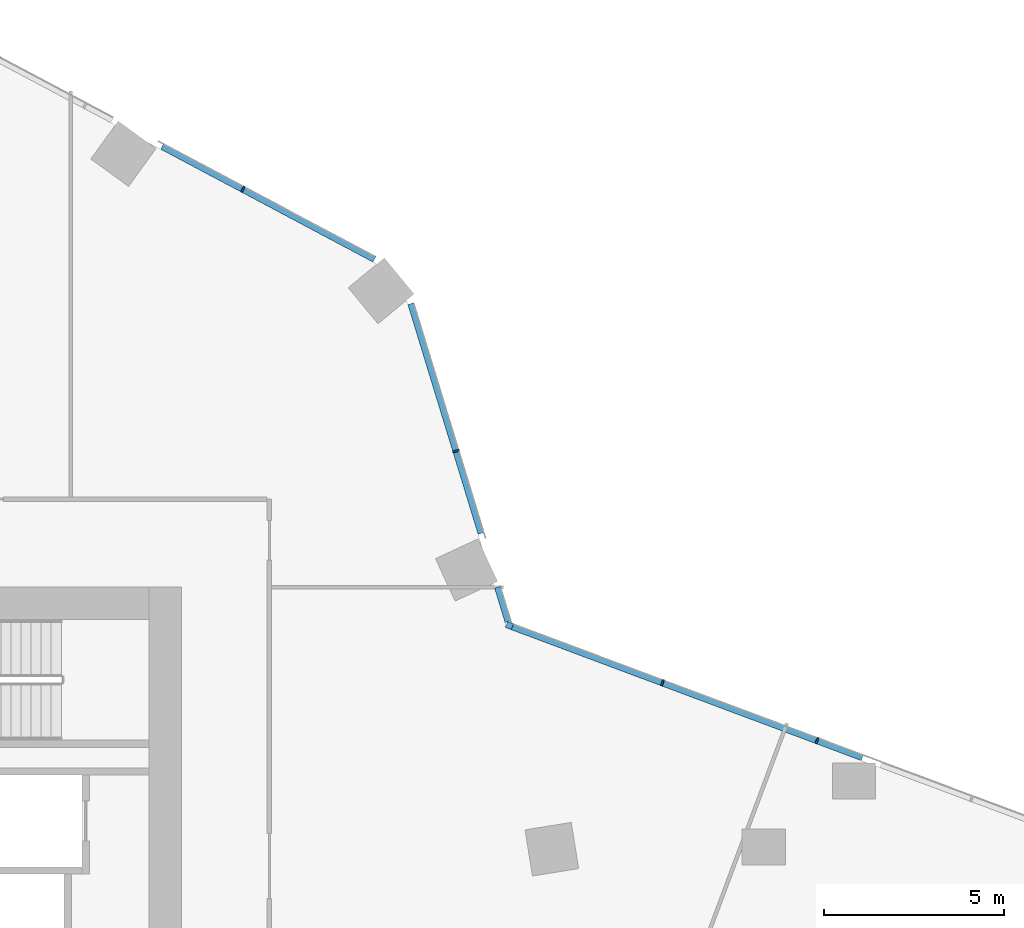
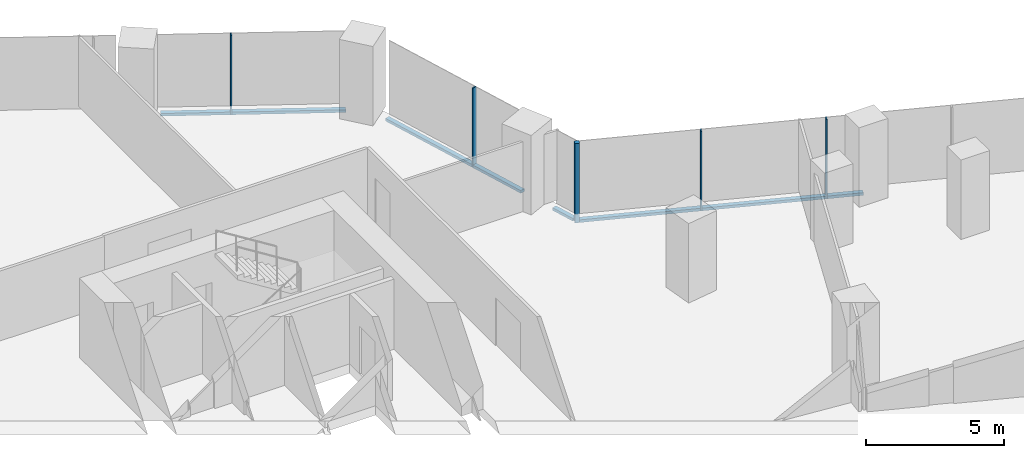
# One storey, part 13 of 31: 9 members, 3 elements without a shape of their own.
"""IFC4 building model written with IfcOpenShell, lengths in metres."""

from ifc_helpers import new_model, si_unit, direction, frame, origin, origin_2d, place, context, subcontext, project, spatial, rectangle, extrude, material, material_profile, profile_set, type_object, element, aggregate, save


model = new_model("IFC4")

# Units and contexts
model_context = context("Model", 3, precision=1e-05, world=origin(), true_north=direction((0.0, 1.0)))
body_context = subcontext(model_context, "Body", "Model", "MODEL_VIEW")
ifc_project = project(units=[si_unit("LENGTHUNIT", "METRE"), si_unit("AREAUNIT", "SQUARE_METRE"), si_unit("VOLUMEUNIT", "CUBIC_METRE"), si_unit("PLANEANGLEUNIT", "RADIAN"), si_unit("MASSUNIT", "GRAM", prefix="KILO")], contexts=[model_context])

# Site, building, storey
site_placement = place(None, origin())
site = spatial("IfcSite", under=ifc_project, at=site_placement, CompositionType="ELEMENT")
building_placement = place(site_placement, origin())
building = spatial("IfcBuilding", under=site, at=building_placement, Name="Orlundy Tower", CompositionType="ELEMENT")
storey_placement = place(building_placement, frame((0.0, 0.0, 87.699951171875)))
storey = spatial("IfcBuildingStorey", under=building, at=storey_placement, Name="L21", CompositionType="ELEMENT", Elevation=87.699951171875)

# Curtain wall, member
ifc_material_1 = material(Name="Aluminium bronze anodised", Category="aluminium")
curtain_wall_type = type_object("IfcCurtainWallType", Name="CW1 wall", PredefinedType="NOTDEFINED", material=ifc_material_1)
curtain_wall_1_placement = place(storey_placement, origin())
curtain_wall_1 = element("IfcCurtainWall", 1, at=curtain_wall_1_placement, inside=storey, type_object=curtain_wall_type, Name="CW1 run 06", PredefinedType="NOTDEFINED")
ifc_material_2 = material(Name="Aluminium bronze anodised", Category="aluminium")
ifc_material_profile_1 = material_profile(ifc_material_2, rectangle(XDim=0.179931640625, YDim=0.179931640625, at=origin_2d()), Name="CW1 corner post 180x180")
ifc_profile_set_1 = profile_set([ifc_material_profile_1], Name="Aluminium bronze anodised")
member_type_1 = type_object("IfcMemberType", Name="CW1 corner post 180x180", PredefinedType="MULLION", material=ifc_profile_set_1)
member_1_placement = place(storey_placement, frame((28.1220703125, 10.933837890625, -0.39990234375), z_axis=(0.0, 0.0, 1.0), x_axis=(0.350203812273, 0.93667352363, 0.0)))
member_1 = element("IfcMember", 2, at=member_1_placement, type_object=member_type_1, Name="CW1 mullion 26", PredefinedType="MULLION", context=body_context, shape_type="SweptSolid", body=[
    extrude(rectangle(XDim=0.179931640625, YDim=0.179931640625, at=origin_2d()), origin(), (0.0, 0.0, 1.0), 3.5),
])

curtain_wall_2_placement = place(storey_placement, origin())
curtain_wall_2 = element("IfcCurtainWall", 3, at=curtain_wall_2_placement, inside=storey, type_object=curtain_wall_type, Name="CW1 run 04", PredefinedType="NOTDEFINED")
ifc_material_3 = material(Name="Aluminium bronze anodised", Category="aluminium")
ifc_material_profile_2 = material_profile(ifc_material_3, rectangle(XDim=0.179931640625, YDim=0.050048828125, at=origin_2d()), Name="CW1 mullion 50x180")
ifc_profile_set_2 = profile_set([ifc_material_profile_2], Name="Aluminium bronze anodised")
member_type_2 = type_object("IfcMemberType", Name="CW1 mullion 50x180", PredefinedType="MULLION", material=ifc_profile_set_2)
member_2_placement = place(storey_placement, frame((20.70947265625, 23.06787109375, -0.39990234375), z_axis=(0.0, 0.0, 1.0), x_axis=(0.469445471129, 0.882961465544, 0.0)))
member_2 = element("IfcMember", 4, at=member_2_placement, type_object=member_type_2, Name="CW1 mullion 23", PredefinedType="MULLION", context=body_context, shape_type="SweptSolid", body=[
    extrude(rectangle(XDim=0.179931640625, YDim=0.050048828125, at=origin_2d()), origin(), (0.0, 0.0, 1.0), 3.5),
])

curtain_wall_3_placement = place(storey_placement, origin())
curtain_wall_3 = element("IfcCurtainWall", 5, at=curtain_wall_3_placement, inside=storey, type_object=curtain_wall_type, Name="CW1 run 05", PredefinedType="NOTDEFINED")
member_3_placement = place(storey_placement, frame((26.638671875, 15.786376953125, -0.39990234375), z_axis=(0.0, 0.0, 1.0), x_axis=(0.956307579156, 0.292362470314, 0.0)))
member_3 = element("IfcMember", 6, at=member_3_placement, type_object=member_type_2, Name="CW1 mullion 25", PredefinedType="MULLION", context=body_context, shape_type="SweptSolid", body=[
    extrude(rectangle(XDim=0.179931640625, YDim=0.050048828125, at=origin_2d()), origin(), (0.0, 0.0, 1.0), 3.5),
])

# Member
member_4_placement = place(storey_placement, frame((32.378662109375, 9.34228515625, -0.39990234375), z_axis=(0.0, 0.0, 1.0), x_axis=(0.350203812273, 0.93667352363, 0.0)))
member_4 = element("IfcMember", 7, at=member_4_placement, type_object=member_type_2, Name="CW1 mullion 27", PredefinedType="MULLION", context=body_context, shape_type="SweptSolid", body=[
    extrude(rectangle(XDim=0.179931640625, YDim=0.050048828125, at=origin_2d()), origin(), (0.0, 0.0, 1.0), 3.5),
])

member_5_placement = place(storey_placement, frame((36.6767578125, 7.7353515625, -0.39990234375), z_axis=(0.0, 0.0, 1.0), x_axis=(0.350203812273, 0.93667352363, 0.0)))
member_5 = element("IfcMember", 8, at=member_5_placement, type_object=member_type_2, Name="CW1 mullion 28", PredefinedType="MULLION", context=body_context, shape_type="SweptSolid", body=[
    extrude(rectangle(XDim=0.179931640625, YDim=0.050048828125, at=origin_2d()), origin(), (0.0, 0.0, 1.0), 3.5),
])

ifc_material_4 = material(Name="Aluminium bronze anodised", Category="aluminium")
ifc_material_profile_3 = material_profile(ifc_material_4, rectangle(XDim=0.179931640625, YDim=0.1201171875, at=origin_2d()), Name="CW1 transom 180x120")
ifc_profile_set_3 = profile_set([ifc_material_profile_3], Name="Aluminium bronze anodised")
member_type_3 = type_object("IfcMemberType", Name="CW1 transom 180x120", PredefinedType="USERDEFINED", material=ifc_profile_set_3)
member_6_placement = place(storey_placement, frame((18.46337890625, 24.261962890625, -0.33984375), z_axis=(0.882967709111, -0.469433727662, 0.0), x_axis=(0.469433727662, 0.882967709111, 0.0)))
member_6 = element("IfcMember", 9, at=member_6_placement, type_object=member_type_3, Name="CW1 transom", ObjectType="TRANSOM", PredefinedType="USERDEFINED", context=body_context, shape_type="SweptSolid", body=[
    extrude(rectangle(XDim=0.179931640625, YDim=0.1201171875, at=origin_2d()), origin(), (0.0, 0.0, 1.0), 6.6865234375),
])

aggregate(curtain_wall_2, [member_2, member_6])

member_7_placement = place(storey_placement, frame((25.384521484375, 19.88818359375, -0.33984375), z_axis=(0.29237817576, -0.956302777545, 0.0), x_axis=(0.956302777545, 0.29237817576, 0.0)))
member_7 = element("IfcMember", 10, at=member_7_placement, type_object=member_type_3, Name="CW1 transom", ObjectType="TRANSOM", PredefinedType="USERDEFINED", context=body_context, shape_type="SweptSolid", body=[
    extrude(rectangle(XDim=0.179931640625, YDim=0.1201171875, at=origin_2d()), origin(), (0.0, 0.0, 1.0), 6.6826171875),
])

member_8_placement = place(storey_placement, frame((27.796630859375, 11.998291015625, -0.33984375), z_axis=(0.292317803048, -0.956321233698, 0.0), x_axis=(0.956321233698, 0.292317803048, 0.0)))
member_8 = element("IfcMember", 11, at=member_8_placement, type_object=member_type_3, Name="CW1 transom", ObjectType="TRANSOM", PredefinedType="USERDEFINED", context=body_context, shape_type="SweptSolid", body=[
    extrude(rectangle(XDim=0.179931640625, YDim=0.1201171875, at=origin_2d()), origin(), (0.0, 0.0, 1.0), 0.999755859375),
])

aggregate(curtain_wall_3, [member_3, member_7, member_8])

member_9_placement = place(storey_placement, frame((28.206298828125, 10.90234375, -0.33984375), z_axis=(0.936668771124, -0.350216523313, 0.0), x_axis=(0.350216523313, 0.936668771124, 0.0)))
member_9 = element("IfcMember", 12, at=member_9_placement, type_object=member_type_3, Name="CW1 transom", ObjectType="TRANSOM", PredefinedType="USERDEFINED", context=body_context, shape_type="SweptSolid", body=[
    extrude(rectangle(XDim=0.179931640625, YDim=0.1201171875, at=origin_2d()), origin(), (0.0, 0.0, 1.0), 10.38623046875),
])

aggregate(curtain_wall_1, [member_1, member_4, member_5, member_9])

save(model, "model.ifc")
